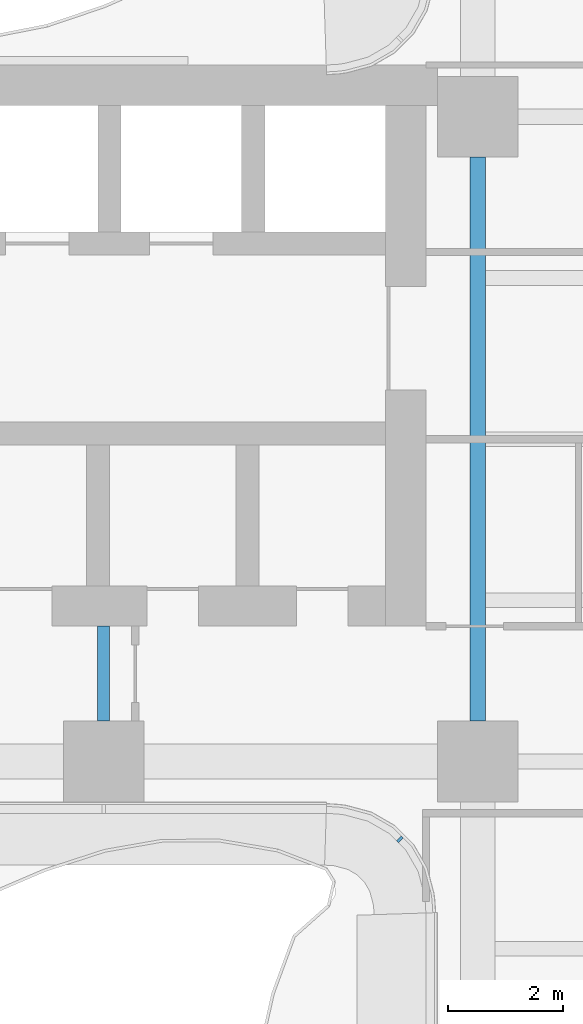
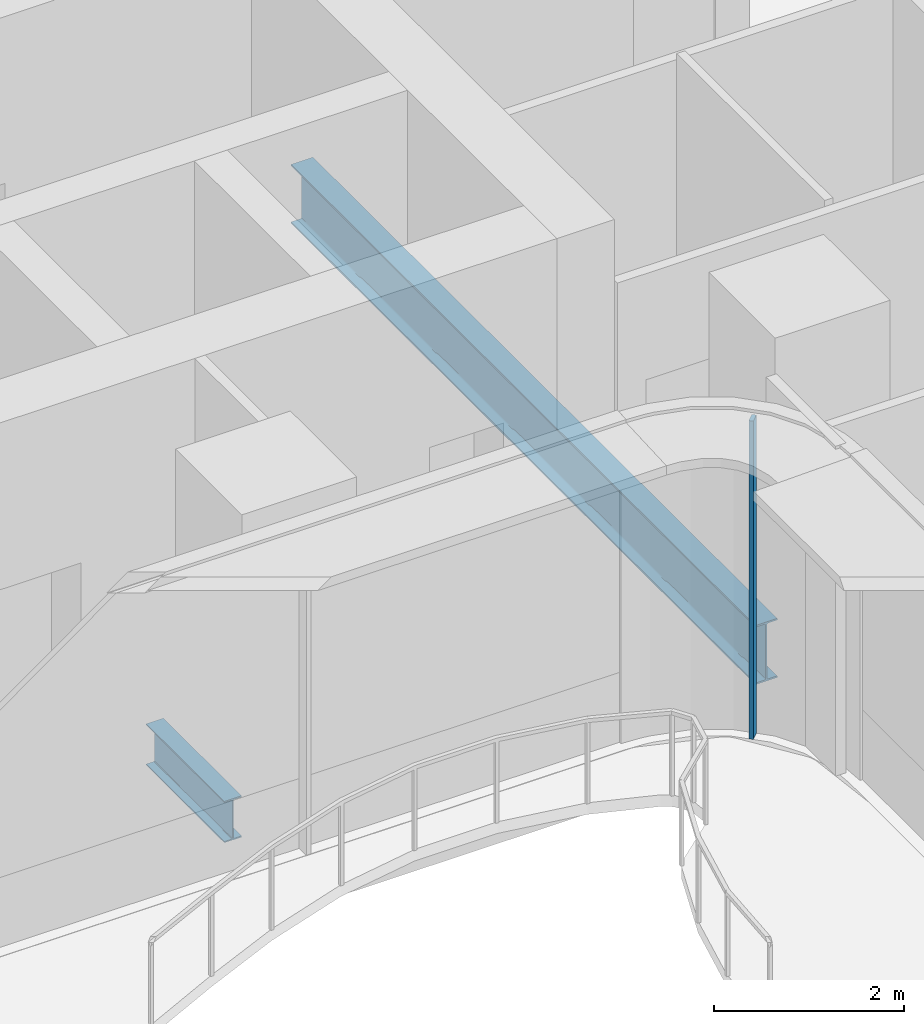
# One storey, part 4 of 22: 2 beams, 1 member, 1 element without a shape of its own.
"""IFC4 building model written with IfcOpenShell, lengths in metres."""

from ifc_helpers import new_model, si_unit, direction, frame, origin, origin_2d, place, context, subcontext, project, spatial, rectangle, i_section, extrude, source, transform, mapped, material, layer, layer_set, material_profile, profile_set, type_object, element, aggregate, save


model = new_model("IFC4")

# Units and contexts
model_context = context("Model", 3, precision=1e-05, world=origin(), true_north=direction((0.0, 1.0)))
body_context = subcontext(model_context, "Body", "Model", "MODEL_VIEW")
ifc_project = project(units=[si_unit("LENGTHUNIT", "METRE"), si_unit("AREAUNIT", "SQUARE_METRE"), si_unit("VOLUMEUNIT", "CUBIC_METRE"), si_unit("PLANEANGLEUNIT", "RADIAN"), si_unit("MASSUNIT", "GRAM", prefix="KILO")], contexts=[model_context])

# Site, building, storey
site_placement = place(None, origin())
site = spatial("IfcSite", under=ifc_project, at=site_placement, CompositionType="ELEMENT")
building_placement = place(site_placement, origin())
building = spatial("IfcBuilding", under=site, at=building_placement, Name="Trellis Farm Tower", CompositionType="ELEMENT")
storey_placement = place(building_placement, frame((0.0, 0.0, 38.5)))
storey = spatial("IfcBuildingStorey", under=building, at=storey_placement, Name="L07", CompositionType="ELEMENT", Elevation=38.5)

# Beams
ifc_material_1 = material(Name="Steel S355", Category="steel")
ifc_material_profile_1 = material_profile(ifc_material_1, i_section(OverallWidth=0.2666015625, OverallDepth=0.76220703125, WebThickness=0.014404296875, FlangeThickness=0.021484375, FilletRadius=0.0166015625, at=origin_2d()), Name="UB 762x267x173")
ifc_profile_set_1 = profile_set([ifc_material_profile_1], Name="Steel S355")
beam_type_1 = type_object("IfcBeamType", Name="UB 762x267x173", PredefinedType="BEAM", material=ifc_profile_set_1)
shared_shape_1 = source(origin(), body_context, "Body", "SweptSolid", [
    extrude(i_section(OverallWidth=0.2666015625, OverallDepth=0.76220703125, WebThickness=0.014404296875, FlangeThickness=0.021484375, FilletRadius=0.0166015625, at=origin_2d()), origin(), (0.0, 0.0, 1.0), 9.7998046875),
])
beam_1_placement = place(storey_placement, frame((-5.60009765625, -4.89990234375, -0.631103515625), z_axis=(0.0, 1.0, 0.0), x_axis=(-1.0, 0.0, 0.0)))
element("IfcBeam", 1, at=beam_1_placement, inside=storey, type_object=beam_type_1, Name="Girder", PredefinedType="BEAM", context=body_context, shape_type="MappedRepresentation", body=[
    mapped(shared_shape_1, transform((0.0, 0.0, 0.0))),
])
ifc_material_profile_2 = material_profile(ifc_material_1, i_section(OverallWidth=0.209228515625, OverallDepth=0.533203125, WebThickness=0.010009765625, FlangeThickness=0.015625, FilletRadius=0.0126953125, at=origin_2d()), Name="UB 533x210x92")
ifc_profile_set_2 = profile_set([ifc_material_profile_2], Name="Steel S355")
beam_type_2 = type_object("IfcBeamType", Name="UB 533x210x92", PredefinedType="BEAM", material=ifc_profile_set_2)
shared_shape_2 = source(origin(), body_context, "Body", "SweptSolid", [
    extrude(i_section(OverallWidth=0.209228515625, OverallDepth=0.533203125, WebThickness=0.010009765625, FlangeThickness=0.015625, FilletRadius=0.0126953125, at=origin_2d()), origin(), (0.0, 0.0, 1.0), 1.64990234375),
])
beam_2_placement = place(storey_placement, frame((-12.10009765625, -4.89990234375, -0.5166015625), z_axis=(0.0, 1.0, 0.0), x_axis=(-1.0, 0.0, 0.0)))
element("IfcBeam", 2, at=beam_2_placement, inside=storey, type_object=beam_type_2, Name="Girder", PredefinedType="BEAM", context=body_context, shape_type="MappedRepresentation", body=[
    mapped(shared_shape_2, transform((0.0, 0.0, 0.0))),
])

# Curtain wall, member
ifc_material_2 = material(Name="Aluminium and glass curtain wall", Category="aluminium")
ifc_layer = layer(ifc_material_2, 0.166015625)
ifc_layer_set = layer_set([ifc_layer], Name="WINTER GARDEN CURTAIN WALL CW3")
curtain_wall_type = type_object("IfcCurtainWallType", Name="WINTER GARDEN CURTAIN WALL CW3", PredefinedType="NOTDEFINED", material=ifc_layer_set)
curtain_wall_placement = place(storey_placement, origin())
curtain_wall = element("IfcCurtainWall", 3, at=curtain_wall_placement, inside=storey, type_object=curtain_wall_type, Name="CW3 001", PredefinedType="NOTDEFINED")
ifc_material_3 = material(Name="Aluminium extrusion 6063-T6", Category="aluminium")
ifc_material_profile_3 = material_profile(ifc_material_3, rectangle(XDim=0.050048828125, YDim=0.1201171875, at=origin_2d()), Name="MULLION 50x120")
ifc_profile_set_3 = profile_set([ifc_material_profile_3], Name="Aluminium extrusion 6063-T6")
member_type = type_object("IfcMemberType", Name="CW3 MULLION 50x120", PredefinedType="MULLION", material=ifc_profile_set_3)
shared_shape_3 = source(origin(), body_context, "Body", "SweptSolid", [
    extrude(rectangle(XDim=0.050048828125, YDim=0.1201171875, at=origin_2d()), origin(), (0.0, 0.0, 1.0), 4.10009765625),
])
member_placement = place(storey_placement, frame((-6.953125, -6.953125, 0.0), z_axis=(0.0, 0.0, 1.0), x_axis=(0.707106781187, -0.707106781187, 0.0)))
member = element("IfcMember", 4, at=member_placement, type_object=member_type, Name="MU3 001-01", PredefinedType="MULLION", context=body_context, shape_type="MappedRepresentation", body=[
    mapped(shared_shape_3, transform((0.0, 0.0, 0.0))),
])
aggregate(curtain_wall, [member])

save(model, "model.ifc")
